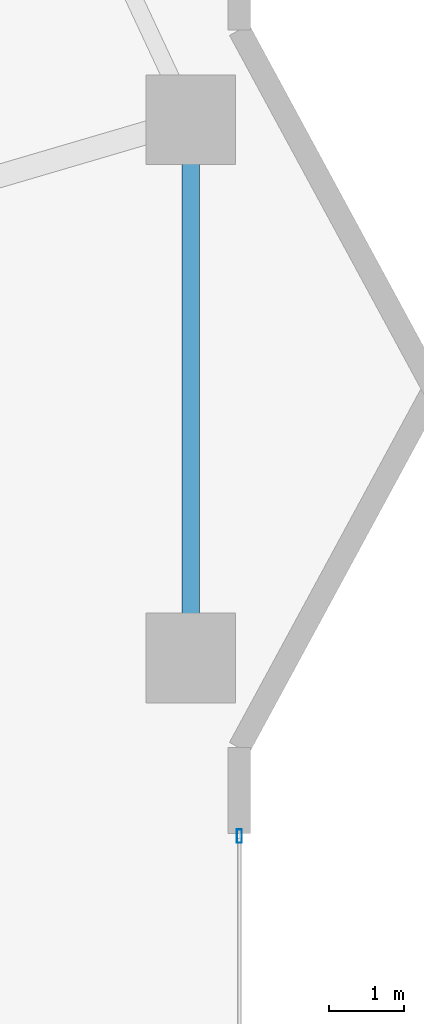
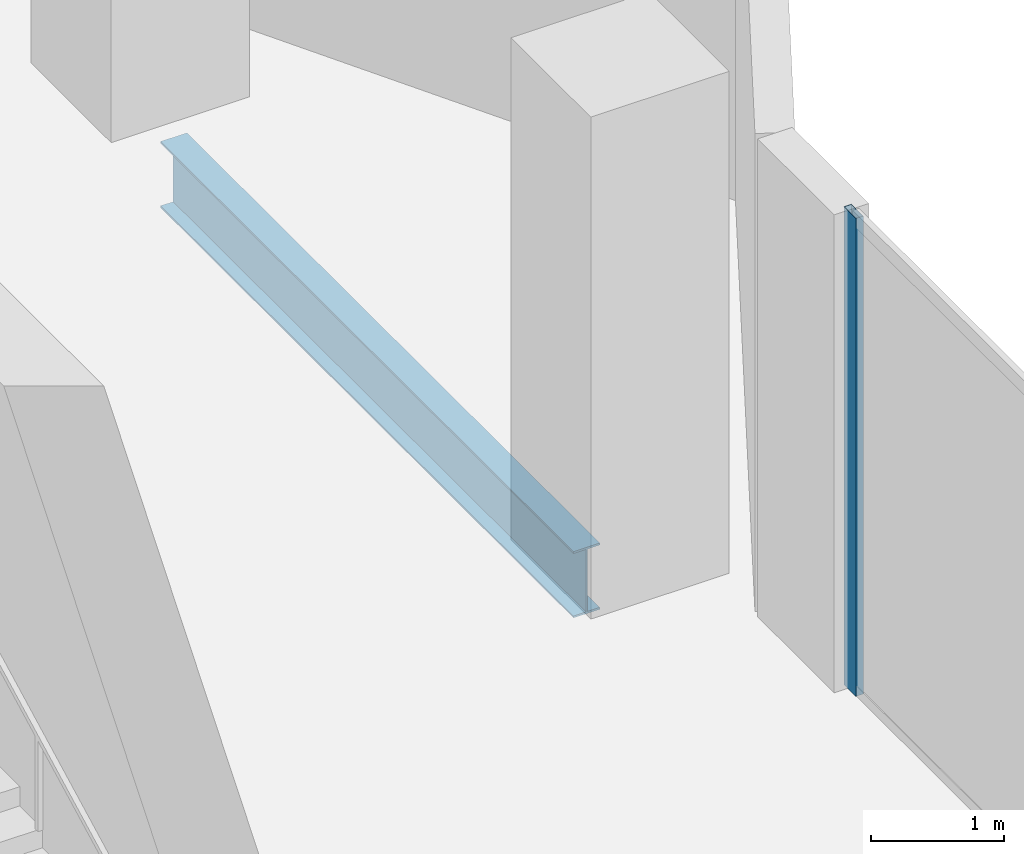
# One storey, part 12 of 31: 1 beam, 1 member, 1 element without a shape of its own.
"""IFC4 building model written with IfcOpenShell, lengths in metres."""

from ifc_helpers import new_model, si_unit, direction, frame, origin, origin_2d, place, context, subcontext, project, spatial, hollow_rectangle, i_section, extrude, material, layer, layer_set, material_profile, profile_set, type_object, element, aggregate, save


model = new_model("IFC4")

# Units and contexts
model_context = context("Model", 3, precision=1e-05, world=origin(), true_north=direction((0.0, 1.0)))
body_context = subcontext(model_context, "Body", "Model", "MODEL_VIEW")
ifc_project = project(units=[si_unit("LENGTHUNIT", "METRE"), si_unit("AREAUNIT", "SQUARE_METRE"), si_unit("VOLUMEUNIT", "CUBIC_METRE"), si_unit("PLANEANGLEUNIT", "RADIAN"), si_unit("MASSUNIT", "GRAM", prefix="KILO")], contexts=[model_context])

# Site, building, storey
site_placement = place(None, origin())
site = spatial("IfcSite", under=ifc_project, at=site_placement, CompositionType="ELEMENT")
building_placement = place(site_placement, origin())
building = spatial("IfcBuilding", under=site, at=building_placement, Name="Zuhayl Quay Hotel", CompositionType="ELEMENT")
storey_placement = place(building_placement, frame((0.0, 0.0, 172.800048828125)))
storey = spatial("IfcBuildingStorey", under=building, at=storey_placement, Name="L43", CompositionType="ELEMENT", Elevation=172.800048828125)

# Beam
ifc_material_1 = material(Name="Steel ASTM A992 Grade 50", Category="steel")
ifc_material_profile_1 = material_profile(ifc_material_1, i_section(OverallWidth=0.22802734375, OverallDepth=0.60693359375, WebThickness=0.01123046875, FlangeThickness=0.017333984375, at=origin_2d()), Name="W24X76")
ifc_profile_set_1 = profile_set([ifc_material_profile_1], Name="Steel ASTM A992 Grade 50")
beam_type = type_object("IfcBeamType", Name="BM_B3_W24X76", PredefinedType="BEAM", material=ifc_profile_set_1)
beam_placement = place(storey_placement, frame((21.449951171875, 9.89990234375, -0.5234375), z_axis=(0.0, 1.0, 0.0), x_axis=(-1.0, 0.0, 0.0)))
element("IfcBeam", 1, at=beam_placement, inside=storey, type_object=beam_type, Name="L43 Floor Beam RG_L43_05", PredefinedType="BEAM", context=body_context, shape_type="SweptSolid", body=[
    extrude(i_section(OverallWidth=0.22802734375, OverallDepth=0.60693359375, WebThickness=0.01123046875, FlangeThickness=0.017333984375, at=origin_2d()), origin(), (0.0, 0.0, 1.0), 6.2001953125),
])

# Curtain wall, member
ifc_material_2 = material(Name="Anodised Aluminium 6063-T6", Category="aluminium")
ifc_layer = layer(ifc_material_2, 0.175048828125, Name="Anodised Aluminium 6063-T6", Category="aluminium")
ifc_layer_set = layer_set([ifc_layer], Name="Anodised Aluminium 6063-T6")
curtain_wall_type = type_object("IfcCurtainWallType", Name="CW_SYS_Z3", PredefinedType="USERDEFINED", material=ifc_layer_set)
curtain_wall_placement = place(storey_placement, origin())
curtain_wall = element("IfcCurtainWall", 2, at=curtain_wall_placement, inside=storey, type_object=curtain_wall_type, Name="L43 Curtain Wall ENV_L43_E14_CW1", ObjectType="UNITISED CURTAIN WALL", PredefinedType="USERDEFINED")
ifc_material_3 = material(Name="Black-anodised aluminium 6063-T6", Category="aluminium")
ifc_material_profile_2 = material_profile(ifc_material_3, hollow_rectangle(XDim=0.06494140625, YDim=0.179931640625, WallThickness=0.00341796875, at=origin_2d()), Name="ALU180X65")
ifc_profile_set_2 = profile_set([ifc_material_profile_2], Name="Black-anodised aluminium 6063-T6")
member_type = type_object("IfcMemberType", Name="MB_CW_MUL_180", PredefinedType="MULLION", material=ifc_profile_set_2)
member_placement = place(storey_placement, frame((22.10009765625, 7.017578125, 0.0), z_axis=(0.0, 0.0, 1.0), x_axis=(1.0, 0.0, 0.0)))
member = element("IfcMember", 3, at=member_placement, type_object=member_type, Name="CW-Z3 mullion 1", PredefinedType="MULLION", context=body_context, shape_type="SweptSolid", body=[
    extrude(hollow_rectangle(XDim=0.06494140625, YDim=0.179931640625, WallThickness=0.00341796875, at=origin_2d()), origin(), (0.0, 0.0, 1.0), 4.3798828125),
])
aggregate(curtain_wall, [member])

save(model, "model.ifc")
